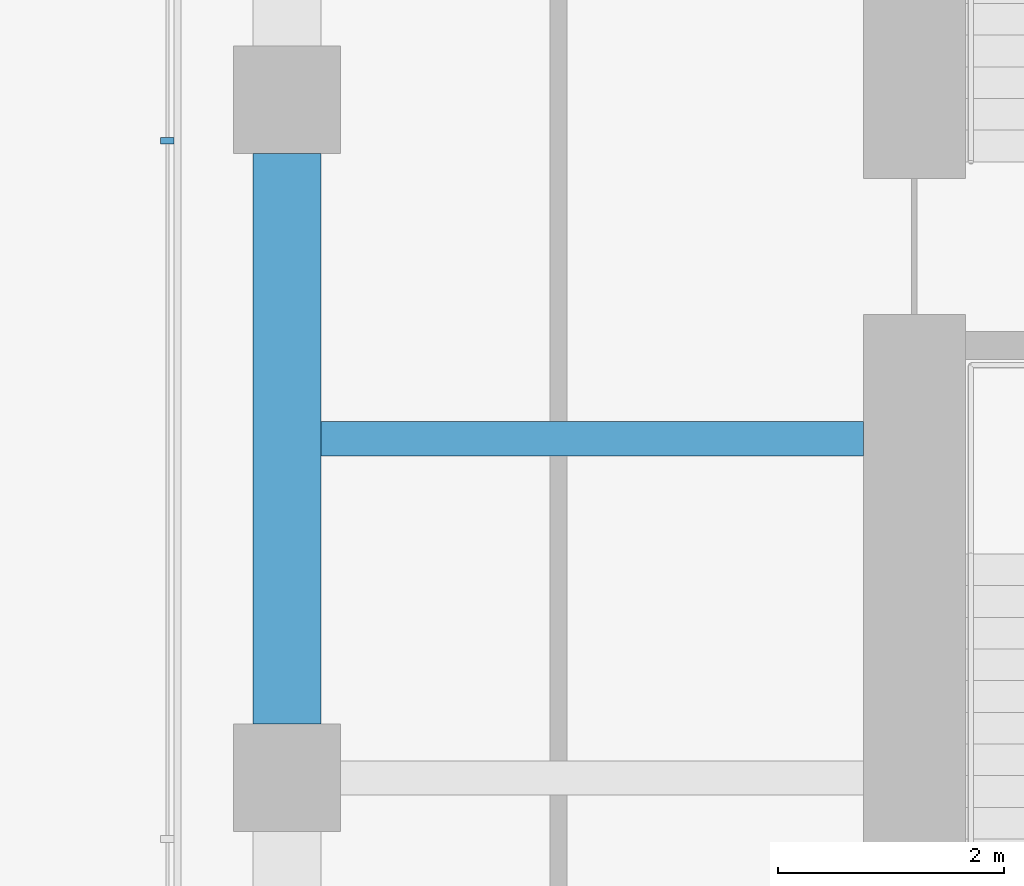
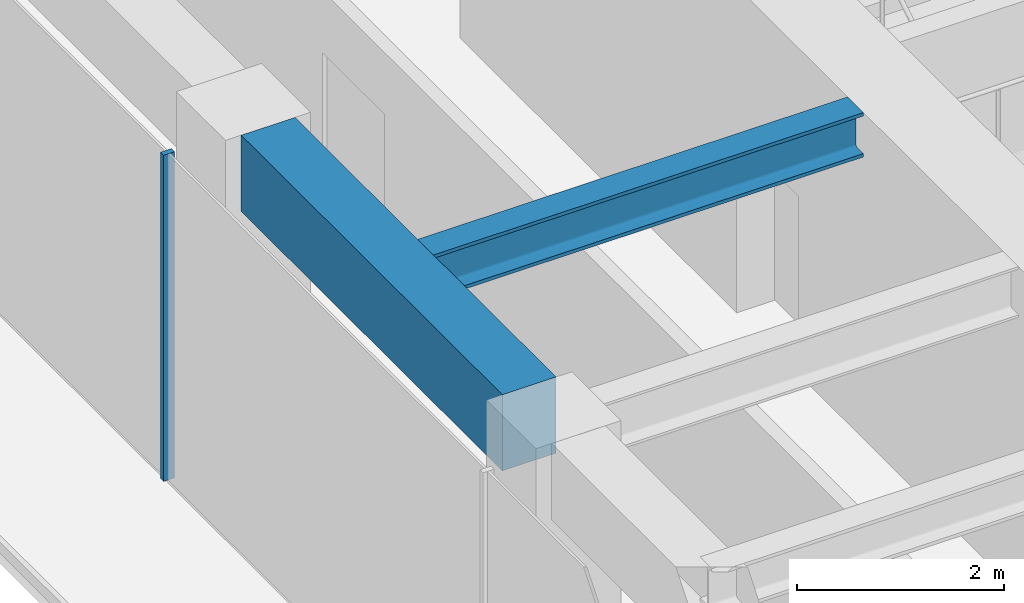
# One storey, part 4 of 29: 2 beams, 1 member, 1 element without a shape of its own.
"""IFC4 building model written with IfcOpenShell, lengths in metres."""

from ifc_helpers import new_model, si_unit, direction, frame, origin, origin_2d, place, context, subcontext, project, spatial, rectangle, i_section, extrude, material, layer, layer_set, material_profile, profile_set, type_object, element, aggregate, save


model = new_model("IFC4")

# Units and contexts
model_context = context("Model", 3, precision=1e-05, world=origin(), true_north=direction((0.0, 1.0)))
body_context = subcontext(model_context, "Body", "Model", "MODEL_VIEW")
ifc_project = project(units=[si_unit("LENGTHUNIT", "METRE"), si_unit("AREAUNIT", "SQUARE_METRE"), si_unit("VOLUMEUNIT", "CUBIC_METRE"), si_unit("PLANEANGLEUNIT", "RADIAN"), si_unit("MASSUNIT", "GRAM", prefix="KILO")], contexts=[model_context])

# Site, building, storey
site_placement = place(None, origin())
site = spatial("IfcSite", under=ifc_project, at=site_placement, CompositionType="ELEMENT")
building_placement = place(site_placement, origin())
building = spatial("IfcBuilding", under=site, at=building_placement, Name="Welwitschia Terrace Campus", CompositionType="ELEMENT")
storey_placement = place(building_placement, frame((0.0, 0.0, 62.60009765625)))
storey = spatial("IfcBuildingStorey", under=building, at=storey_placement, Name="L14", CompositionType="ELEMENT", Elevation=62.60009765625)

# Beam
ifc_material_1 = material(Name="Steel S355", Category="steel")
ifc_material_profile_1 = material_profile(ifc_material_1, i_section(OverallWidth=0.305908203125, OverallDepth=0.52392578125, WebThickness=0.02099609375, FlangeThickness=0.0400390625, FilletRadius=0.027099609375, at=origin_2d()))
ifc_profile_set_1 = profile_set([ifc_material_profile_1], Name="Steel S355")
beam_type_1 = type_object("IfcBeamType", Name="Interior girder HE 500 M", PredefinedType="BEAM", material=ifc_profile_set_1)
beam_1_placement = place(storey_placement, frame((-0.010009765625, 11.0, 3.587890625), z_axis=(1.0, 0.0, 0.0), x_axis=(0.0, 1.0, 0.0)))
element("IfcBeam", 1, at=beam_1_placement, inside=storey, type_object=beam_type_1, Name="Girder GB2", PredefinedType="BEAM", context=body_context, shape_type="SweptSolid", body=[
    extrude(i_section(OverallWidth=0.305908203125, OverallDepth=0.52392578125, WebThickness=0.02099609375, FlangeThickness=0.0400390625, FilletRadius=0.027099609375, at=origin_2d()), origin(), (0.0, 0.0, 1.0), 5.109130859375),
])

# Curtain wall, member
ifc_material_2 = material(Name="Bronze anodised aluminium", Category="aluminium")
ifc_layer = layer(ifc_material_2, 0.1201171875)
ifc_layer_set = layer_set([ifc_layer], Name="Bronze anodised aluminium")
curtain_wall_type = type_object("IfcCurtainWallType", Name="Curtain wall CW2 tower 6000", PredefinedType="NOTDEFINED", material=ifc_layer_set)
curtain_wall_placement = place(storey_placement, origin())
curtain_wall = element("IfcCurtainWall", 2, at=curtain_wall_placement, inside=storey, type_object=curtain_wall_type, Name="CW L14.12.5", PredefinedType="NOTDEFINED")
ifc_material_3 = material(Name="Bronze anodised aluminium", Category="aluminium")
ifc_material_profile_2 = material_profile(ifc_material_3, rectangle(XDim=0.1201171875, YDim=0.06005859375, at=origin_2d()))
ifc_profile_set_2 = profile_set([ifc_material_profile_2], Name="Bronze anodised aluminium")
member_type = type_object("IfcMemberType", Name="Mullion 60x120", PredefinedType="MULLION", material=ifc_profile_set_2)
member_placement = place(storey_placement, frame((-1.05810546875, 13.63623046875, 0.0), z_axis=(0.0, 0.0, 1.0), x_axis=(1.0, 0.0, 0.0)))
member = element("IfcMember", 3, at=member_placement, type_object=member_type, Name="Mullion L14.12.5.3", PredefinedType="MULLION", context=body_context, shape_type="SweptSolid", body=[
    extrude(rectangle(XDim=0.1201171875, YDim=0.06005859375, at=origin_2d()), origin(), (0.0, 0.0, 1.0), 3.849853515625),
])
aggregate(curtain_wall, [member])

# Beam
ifc_material_4 = material(Name="Concrete C60/75", Category="concrete")
ifc_material_profile_3 = material_profile(ifc_material_4, rectangle(XDim=0.60009765625, YDim=0.89990234375, at=origin_2d()))
ifc_profile_set_3 = profile_set([ifc_material_profile_3], Name="Concrete C60/75")
beam_type_2 = type_object("IfcBeamType", Name="Ring spandrel 600x900", PredefinedType="SPANDREL", material=ifc_profile_set_3)
beam_2_placement = place(storey_placement, frame((0.0, 13.5244140625, 3.39990234375), z_axis=(0.0, -1.0, 0.0), x_axis=(1.0, 0.0, 0.0)))
element("IfcBeam", 4, at=beam_2_placement, inside=storey, type_object=beam_type_2, Name="Spandrel SP2", PredefinedType="SPANDREL", context=body_context, shape_type="SweptSolid", body=[
    extrude(rectangle(XDim=0.60009765625, YDim=0.89990234375, at=origin_2d()), origin(), (0.0, 0.0, 1.0), 5.048828125),
])

save(model, "model.ifc")
